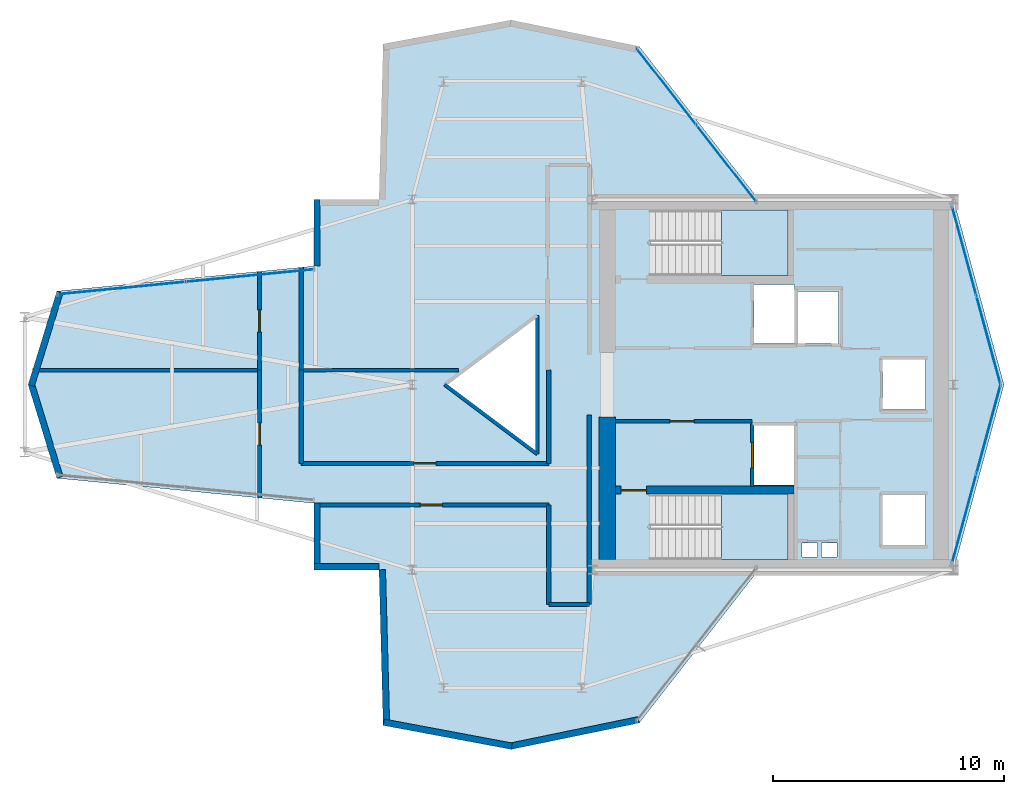
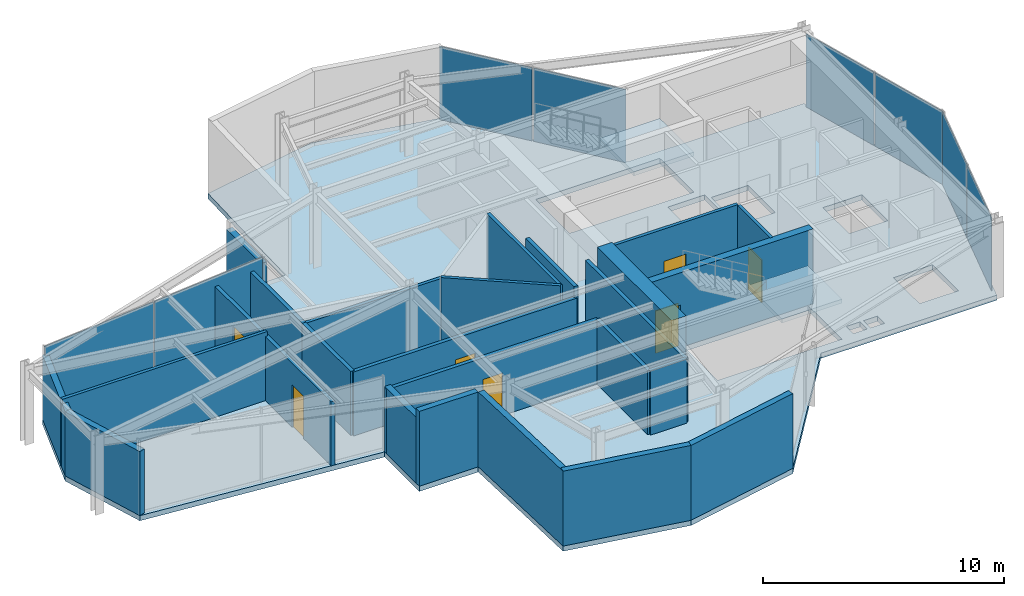
# One storey, part 18 of 21: 26 walls, 8 plates, 7 doors, 3 slabs, 7 openings, 6 elements without a shape of their own.
"""IFC4 building model written with IfcOpenShell, lengths in metres."""

from ifc_helpers import new_model, si_unit, direction, frame, frame_2d, origin, origin_2d, place, context, subcontext, project, spatial, polyline, rectangle, outline, extrude, material, layer, layer_set, type_object, element, fill, aggregate, save


model = new_model("IFC4")

# Units and contexts
model_context = context("Model", 3, precision=1e-05, world=origin(), true_north=direction((0.0, 1.0)))
body_context = subcontext(model_context, "Body", "Model", "MODEL_VIEW")
ifc_project = project(units=[si_unit("LENGTHUNIT", "METRE"), si_unit("AREAUNIT", "SQUARE_METRE"), si_unit("VOLUMEUNIT", "CUBIC_METRE"), si_unit("PLANEANGLEUNIT", "RADIAN"), si_unit("MASSUNIT", "GRAM", prefix="KILO")], contexts=[model_context])

# Site, building, storey
site_placement = place(None, origin())
site = spatial("IfcSite", under=ifc_project, at=site_placement, CompositionType="ELEMENT")
building_placement = place(site_placement, origin())
building = spatial("IfcBuilding", under=site, at=building_placement, Name="Veymaron Broadcast Tower", CompositionType="ELEMENT")
storey_placement = place(building_placement, frame((0.0, 0.0, 244.5)))
storey = spatial("IfcBuildingStorey", under=building, at=storey_placement, Name="L57", CompositionType="ELEMENT", Elevation=244.5)

# Curtain wall, plates
ifc_material_1 = material(Name="Anodised aluminium AA 6063-T6 and laminated low-E dark glass", Category="aluminium")
ifc_layer_1 = layer(ifc_material_1, 0.179931640625)
ifc_layer_set_1 = layer_set([ifc_layer_1], Name="Anodised aluminium AA 6063-T6 and laminated low-E dark glass")
curtain_wall_type = type_object("IfcCurtainWallType", Name="CW-SYS-05", PredefinedType="NOTDEFINED", material=ifc_layer_set_1)
curtain_wall_1_placement = place(storey_placement, origin())
curtain_wall_1 = element("IfcCurtainWall", 1, at=curtain_wall_1_placement, inside=storey, type_object=curtain_wall_type, Name="L57 dark-glass curtain wall CW-L57-E2-1", PredefinedType="NOTDEFINED")
ifc_material_2 = material(Name="Double-silver solar-control dark glass IGU 32 mm", Category="glass")
ifc_layer_2 = layer(ifc_material_2, 0.031982421875)
ifc_layer_set_2 = layer_set([ifc_layer_2], Name="Double-silver solar-control dark glass IGU 32 mm")
plate_type = type_object("IfcPlateType", Name="CW-PNL-02", PredefinedType="CURTAIN_PANEL", material=ifc_layer_set_2)
plate_1_placement = place(storey_placement, frame((55.05810546875, 18.218017578125, 0.0400390625), z_axis=(0.0, 0.0, 1.0), x_axis=(0.262424968824, 0.964952400763, 0.0)))
plate_1 = element("IfcPlate", 2, at=plate_1_placement, type_object=plate_type, Name="CW-L57-E2-1 unitised curtain panel 0", PredefinedType="CURTAIN_PANEL", context=body_context, shape_type="SweptSolid", body=[
    extrude(rectangle(XDim=3.9599609375, YDim=0.031982421875, at=origin_2d()), origin(), (0.0, 0.0, 1.0), 3.7099609375),
])
plate_2_placement = place(storey_placement, frame((56.113037109375, 22.09716796875, 0.0400390625), z_axis=(0.0, 0.0, 1.0), x_axis=(0.262424968824, 0.964952400763, 0.0)))
plate_2 = element("IfcPlate", 3, at=plate_2_placement, type_object=plate_type, Name="CW-L57-E2-1 unitised curtain panel 1", PredefinedType="CURTAIN_PANEL", context=body_context, shape_type="SweptSolid", body=[
    extrude(rectangle(XDim=3.9599609375, YDim=0.031982421875, at=origin_2d()), origin(), (0.0, 0.0, 1.0), 3.7099609375),
])
aggregate(curtain_wall_1, [plate_1, plate_2])

curtain_wall_2_placement = place(storey_placement, origin())
curtain_wall_2 = element("IfcCurtainWall", 4, at=curtain_wall_2_placement, inside=storey, type_object=curtain_wall_type, Name="L57 dark-glass curtain wall CW-L57-E3-1", PredefinedType="NOTDEFINED")
plate_3_placement = place(storey_placement, frame((56.113037109375, 25.90283203125, 0.0400390625), z_axis=(0.0, 0.0, 1.0), x_axis=(-0.262424968824, 0.964952400763, 0.0)))
plate_3 = element("IfcPlate", 5, at=plate_3_placement, type_object=plate_type, Name="CW-L57-E3-1 unitised curtain panel 0", PredefinedType="CURTAIN_PANEL", context=body_context, shape_type="SweptSolid", body=[
    extrude(rectangle(XDim=3.9599609375, YDim=0.031982421875, at=origin_2d()), origin(), (0.0, 0.0, 1.0), 3.7099609375),
])
plate_4_placement = place(storey_placement, frame((55.05810546875, 29.781982421875, 0.0400390625), z_axis=(0.0, 0.0, 1.0), x_axis=(-0.262424968824, 0.964952400763, 0.0)))
plate_4 = element("IfcPlate", 6, at=plate_4_placement, type_object=plate_type, Name="CW-L57-E3-1 unitised curtain panel 1", PredefinedType="CURTAIN_PANEL", context=body_context, shape_type="SweptSolid", body=[
    extrude(rectangle(XDim=3.9599609375, YDim=0.031982421875, at=origin_2d()), origin(), (0.0, 0.0, 1.0), 3.7099609375),
])
aggregate(curtain_wall_2, [plate_3, plate_4])

curtain_wall_3_placement = place(storey_placement, origin())
curtain_wall_3 = element("IfcCurtainWall", 7, at=curtain_wall_3_placement, inside=storey, type_object=curtain_wall_type, Name="L57 dark-glass curtain wall CW-L57-E5-1", PredefinedType="NOTDEFINED")
plate_5_placement = place(storey_placement, frame((44.772705078125, 33.569580078125, 0.0400390625), z_axis=(0.0, 0.0, 1.0), x_axis=(-0.615290065661, 0.788300789736, 0.0)))
plate_5 = element("IfcPlate", 8, at=plate_5_placement, type_object=plate_type, Name="CW-L57-E5-1 unitised curtain panel 0", PredefinedType="CURTAIN_PANEL", context=body_context, shape_type="SweptSolid", body=[
    extrude(rectangle(XDim=4.140869140625, YDim=0.031982421875, at=origin_2d()), origin(), (0.0, 0.0, 1.0), 3.7099609375),
])
plate_6_placement = place(storey_placement, frame((42.18798828125, 36.88134765625, 0.0400390625), z_axis=(0.0, 0.0, 1.0), x_axis=(-0.615290065661, 0.788300789736, 0.0)))
plate_6 = element("IfcPlate", 9, at=plate_6_placement, type_object=plate_type, Name="CW-L57-E5-1 unitised curtain panel 1", PredefinedType="CURTAIN_PANEL", context=body_context, shape_type="SweptSolid", body=[
    extrude(rectangle(XDim=4.140869140625, YDim=0.031982421875, at=origin_2d()), origin(), (0.0, 0.0, 1.0), 3.7099609375),
])
aggregate(curtain_wall_3, [plate_5, plate_6])

curtain_wall_4_placement = place(storey_placement, origin())
curtain_wall_4 = element("IfcCurtainWall", 10, at=curtain_wall_4_placement, inside=storey, type_object=curtain_wall_type, Name="L57 dark-glass curtain wall CW-L57-E11-1", PredefinedType="NOTDEFINED")
plate_7_placement = place(storey_placement, frame((24.180419921875, 28.7138671875, 0.0400390625), z_axis=(0.0, 0.0, 1.0), x_axis=(-0.995288516672, -0.096957560721, 0.0)))
plate_7 = element("IfcPlate", 11, at=plate_7_placement, type_object=plate_type, Name="CW-L57-E11-1 unitised curtain panel 0", PredefinedType="CURTAIN_PANEL", context=body_context, shape_type="SweptSolid", body=[
    extrude(rectangle(XDim=5.517578125, YDim=0.031982421875, at=origin_2d()), origin(), (0.0, 0.0, 1.0), 3.7099609375),
])
plate_8_placement = place(storey_placement, frame((18.629150390625, 28.173095703125, 0.0400390625), z_axis=(0.0, 0.0, 1.0), x_axis=(-0.995288516672, -0.096957560721, 0.0)))
plate_8 = element("IfcPlate", 12, at=plate_8_placement, type_object=plate_type, Name="CW-L57-E11-1 unitised curtain panel 1", PredefinedType="CURTAIN_PANEL", context=body_context, shape_type="SweptSolid", body=[
    extrude(rectangle(XDim=5.517578125, YDim=0.031982421875, at=origin_2d()), origin(), (0.0, 0.0, 1.0), 3.7099609375),
])
aggregate(curtain_wall_4, [plate_7, plate_8])

# Slab
ifc_material_3 = material(Name="Concrete C40/50", Category="concrete")
ifc_layer_3 = layer(ifc_material_3, 0.260009765625)
ifc_layer_set_3 = layer_set([ifc_layer_3], Name="Concrete C40/50")
slab_type_1 = type_object("IfcSlabType", Name="SLAB-FS5", PredefinedType="FLOOR", material=ifc_layer_set_3)
slab_1_placement = place(storey_placement, frame((0.0, 0.0, -0.260009765625)))
element("IfcSlab", 13, at=slab_1_placement, inside=storey, type_object=slab_type_1, Name="L57 structural floor slab", PredefinedType="FLOOR", context=body_context, shape_type="SweptSolid", body=[
    extrude(outline(polyline([(46.175537109375, 16.0), (54.60009765625, 16.0), (56.775634765625, 24.0), (54.60009765625, 32.0), (46.175537109375, 32.0), (41.006103515625, 38.623291015625), (35.474853515625, 39.7626953125), (29.943603515625, 38.726806640625), (29.763916015625, 32.0), (26.9423828125, 32.0), (26.9423828125, 29.12353515625), (15.840087890625, 28.0419921875), (14.5966796875, 24.0), (15.840087890625, 19.9580078125), (26.9423828125, 18.87646484375), (26.9423828125, 16.0), (29.763916015625, 16.0), (29.943603515625, 9.273193359375), (35.474853515625, 8.2373046875), (41.006103515625, 9.376708984375), (46.175537109375, 16.0)]), holes=[polyline([(45.969970703125, 28.330078125), (47.72998046875, 28.330078125), (47.72998046875, 25.77001953125), (45.969970703125, 25.77001953125), (45.969970703125, 28.330078125)]), polyline([(45.969970703125, 22.22998046875), (47.72998046875, 22.22998046875), (47.72998046875, 19.669921875), (45.969970703125, 19.669921875), (45.969970703125, 22.22998046875)]), polyline([(47.8701171875, 28.030029296875), (49.6298828125, 28.030029296875), (49.6298828125, 25.77001953125), (47.8701171875, 25.77001953125), (47.8701171875, 28.030029296875)]), polyline([(51.52001953125, 25.080078125), (53.3798828125, 25.080078125), (53.3798828125, 22.919921875), (51.52001953125, 22.919921875), (51.52001953125, 25.080078125)]), polyline([(51.52001953125, 19.22998046875), (53.3798828125, 19.22998046875), (53.3798828125, 17.070068359375), (51.52001953125, 17.070068359375), (51.52001953125, 19.22998046875)]), polyline([(48.050048828125, 17.159912109375), (48.719970703125, 17.159912109375), (48.719970703125, 16.56005859375), (48.050048828125, 16.56005859375), (48.050048828125, 17.159912109375)]), polyline([(48.8798828125, 17.159912109375), (49.550048828125, 17.159912109375), (49.550048828125, 16.56005859375), (48.8798828125, 16.56005859375), (48.8798828125, 17.159912109375)]), polyline([(36.60009765625, 27.0), (36.60009765625, 21.0), (32.60009765625, 24.0), (36.60009765625, 27.0)]), polyline([(41.489990234375, 31.550048828125), (47.43994140625, 31.550048828125), (47.43994140625, 28.72998046875), (41.489990234375, 28.72998046875), (41.489990234375, 31.550048828125)]), polyline([(41.489990234375, 19.27001953125), (47.43994140625, 19.27001953125), (47.43994140625, 16.449951171875), (41.489990234375, 16.449951171875), (41.489990234375, 19.27001953125)])]), origin(), (0.0, 0.0, 1.0), 0.260009765625),
])

# Stair, slab
ifc_material_4 = material(Name="Concrete C50/60", Category="concrete")
stair_type_1 = type_object("IfcStairType", Name="STAIR-CORE-1", PredefinedType="HALF_TURN_STAIR", material=ifc_material_4)
stair_1_placement = place(storey_placement, origin())
stair_1 = element("IfcStair", 14, at=stair_1_placement, inside=storey, type_object=stair_type_1, Name="L57 North protected dog-leg exit stair ST1", PredefinedType="HALF_TURN_STAIR")
ifc_layer_4 = layer(ifc_material_4, 0.199951171875)
ifc_layer_set_4 = layer_set([ifc_layer_4], Name="Concrete C50/60")
slab_type_2 = type_object("IfcSlabType", Name="SLAB-STAIR-LDG", PredefinedType="LANDING", material=ifc_layer_set_4)
slab_2_placement = place(storey_placement, frame((0.0, 0.0, 1.824951171875)))
slab_2 = element("IfcSlab", 15, at=slab_2_placement, type_object=slab_type_2, Name="ST1 landing 1", PredefinedType="LANDING", context=body_context, shape_type="SweptSolid", body=[
    extrude(outline(polyline([(44.56494140625, 28.72998046875), (47.43994140625, 28.72998046875), (47.43994140625, 31.550048828125), (44.56494140625, 31.550048828125), (44.56494140625, 28.72998046875)])), origin(), (0.0, 0.0, 1.0), 0.199951171875),
])
aggregate(stair_1, [slab_2])

stair_type_2 = type_object("IfcStairType", Name="STAIR-CORE-2", PredefinedType="HALF_TURN_STAIR", material=ifc_material_4)
stair_2_placement = place(storey_placement, origin())
stair_2 = element("IfcStair", 16, at=stair_2_placement, inside=storey, type_object=stair_type_2, Name="L57 South protected dog-leg exit stair ST2", PredefinedType="HALF_TURN_STAIR")
slab_3_placement = place(storey_placement, frame((0.0, 0.0, 1.824951171875)))
slab_3 = element("IfcSlab", 17, at=slab_3_placement, type_object=slab_type_2, Name="ST2 landing 1", PredefinedType="LANDING", context=body_context, shape_type="SweptSolid", body=[
    extrude(outline(polyline([(44.56494140625, 16.449951171875), (47.43994140625, 16.449951171875), (47.43994140625, 19.27001953125), (44.56494140625, 19.27001953125), (44.56494140625, 16.449951171875)])), origin(), (0.0, 0.0, 1.0), 0.199951171875),
])
aggregate(stair_2, [slab_3])

# Walls
ifc_material_5 = material(Name="Precast concrete C40/50", Category="concrete")
ifc_layer_5 = layer(ifc_material_5, 0.280029296875)
ifc_layer_set_5 = layer_set([ifc_layer_5], Name="Precast concrete C40/50")
wall_type_1 = type_object("IfcWallType", Name="WALL-EXT-280", PredefinedType="STANDARD", material=ifc_layer_set_5)
wall_1_placement = place(storey_placement, frame((27.08251953125, 32.0, 0.0), z_axis=(0.0, 0.0, 1.0), x_axis=(0.0, -1.0, 0.0)))
element("IfcWall", 18, at=wall_1_placement, inside=storey, type_object=wall_type_1, Name="L57 notched corner facade pier 10-1", PredefinedType="STANDARD", context=body_context, shape_type="SweptSolid", body=[
    extrude(rectangle(XDim=2.87646484375, YDim=0.280029296875, at=frame_2d((1.438232421875, 0.0))), origin(), (0.0, 0.0, 1.0), 3.319091796875),
])
for number, where, z_axis, x_axis, name in (
    (19, (15.973876953125, 28.000732421875, 0.0), (0.0, 0.0, 1.0), (-0.293972254798, -0.955813953345, 0.0), "L57 notched corner facade pier 12-1"),
    (20, (14.730712890625, 24.041259765625, 0.0), (0.0, 0.0, 1.0), (0.293972254798, -0.955813953345, 0.0), "L57 notched corner facade pier 13-1"),
):
    element("IfcWall", number, at=place(storey_placement, frame(where, z_axis=z_axis, x_axis=x_axis)), inside=storey, type_object=wall_type_1, Name=name, PredefinedType="STANDARD", context=body_context, shape_type="SweptSolid", body=[
        extrude(rectangle(XDim=4.228759765625, YDim=0.280029296875, at=frame_2d((2.1142578125, 0.0))), origin(), (0.0, 0.0, 1.0), 3.240966796875),
    ])
wall_2_placement = place(storey_placement, frame((27.08251953125, 18.87646484375, 0.0), z_axis=(0.0, 0.0, 1.0), x_axis=(0.0, -1.0, 0.0)))
element("IfcWall", 21, at=wall_2_placement, inside=storey, type_object=wall_type_1, Name="L57 notched corner facade pier 15-1", PredefinedType="STANDARD", context=body_context, shape_type="SweptSolid", body=[
    extrude(rectangle(XDim=2.87646484375, YDim=0.280029296875, at=frame_2d((1.438232421875, 0.0))), origin(), (0.0, 0.0, 1.0), 3.319091796875),
])
wall_3_placement = place(storey_placement, frame((26.9423828125, 16.139892578125, 0.0), z_axis=(0.0, 0.0, 1.0), x_axis=(1.0, 0.0, 0.0)))
element("IfcWall", 22, at=wall_3_placement, inside=storey, type_object=wall_type_1, Name="L57 notched corner facade pier 16-1", PredefinedType="STANDARD", context=body_context, shape_type="SweptSolid", body=[
    extrude(rectangle(XDim=2.821533203125, YDim=0.280029296875, at=frame_2d((1.41064453125, 0.0))), origin(), (0.0, 0.0, 1.0), 3.7900390625),
])
wall_4_placement = place(storey_placement, frame((29.90380859375, 16.003662109375, 0.0), z_axis=(0.0, 0.0, 1.0), x_axis=(0.026702629768, -0.999643421208, 0.0)))
element("IfcWall", 23, at=wall_4_placement, inside=storey, type_object=wall_type_1, Name="L57 notched corner facade pier 17-1", PredefinedType="STANDARD", context=body_context, shape_type="SweptSolid", body=[
    extrude(rectangle(XDim=6.729248046875, YDim=0.280029296875, at=frame_2d((3.36474609375, 0.0))), origin(), (0.0, 0.0, 1.0), 3.7900390625),
])
wall_5_placement = place(storey_placement, frame((29.969482421875, 9.410888671875, 0.0), z_axis=(0.0, 0.0, 1.0), x_axis=(0.982902134609, -0.184128742409, 0.0)))
element("IfcWall", 24, at=wall_5_placement, inside=storey, type_object=wall_type_1, Name="L57 notched corner facade pier 18-1", PredefinedType="STANDARD", context=body_context, shape_type="SweptSolid", body=[
    extrude(rectangle(XDim=5.627197265625, YDim=0.280029296875, at=frame_2d((2.8134765625, 0.0))), origin(), (0.0, 0.0, 1.0), 3.7900390625),
])
wall_6_placement = place(storey_placement, frame((35.446533203125, 8.374267578125, 0.0), z_axis=(0.0, 0.0, 1.0), x_axis=(0.979426896637, 0.201799291733, 0.0)))
element("IfcWall", 25, at=wall_6_placement, inside=storey, type_object=wall_type_1, Name="L57 notched corner facade pier 19-1", PredefinedType="STANDARD", context=body_context, shape_type="SweptSolid", body=[
    extrude(rectangle(XDim=5.6474609375, YDim=0.280029296875, at=frame_2d((2.82373046875, 0.0))), origin(), (0.0, 0.0, 1.0), 3.7900390625),
])

# Wall, opening, door
ifc_material_6 = material(Name="Gypsum fireboard and steel stud framing", Category="steel")
ifc_layer_6 = layer(ifc_material_6, 0.14990234375)
ifc_layer_set_6 = layer_set([ifc_layer_6], Name="Gypsum fireboard and steel stud framing")
wall_type_2 = type_object("IfcWallType", Name="WALL-FIRE-150", PredefinedType="PARTITIONING", material=ifc_layer_set_6)
wall_7_placement = place(storey_placement, frame((39.97998046875, 22.425048828125, 0.0), z_axis=(0.0, 0.0, 1.0), x_axis=(1.0, 0.0, 0.0)))
wall_7 = element("IfcWall", 26, at=wall_7_placement, inside=storey, type_object=wall_type_2, Name="L57 partition IW-L57-FFLS-N", PredefinedType="PARTITIONING", context=body_context, shape_type="SweptSolid", body=[
    extrude(rectangle(XDim=5.89990234375, YDim=0.14990234375, at=frame_2d((2.949951171875, 0.0))), origin(), (0.0, 0.0, 1.0), 3.7900390625),
])
opening_1_placement = place(wall_7_placement, frame((2.35009765625, 0.0, 0.0)))
opening_1 = element("IfcOpeningElement", 27, at=opening_1_placement, cuts=wall_7, Name="Opening ID-FL1", PredefinedType="OPENING", context=body_context, shape_type="SweptSolid", body=[
    extrude(rectangle(XDim=1.050048828125, YDim=2.14990234375, at=frame_2d((0.52490234375, 1.074951171875))), frame((0.0, 0.0849609375, 0.0), z_axis=(0.0, -1.0, 0.0), x_axis=(1.0, 0.0, 0.0)), (0.0, 0.0, 1.0), 0.169921875),
])
ifc_material_7 = material(Name="Fire-rated painted hollow steel ASTM A653", Category="steel")
door_type_1 = type_object("IfcDoorType", Name="DOOR-FIRE-1050", OperationType="NOTDEFINED", PredefinedType="DOOR", material=ifc_material_7)
door_1_placement = place(opening_1_placement, frame((1.050048828125, 0.0, 0.0), z_axis=(0.0, 0.0, 1.0), x_axis=(-1.0, 0.0, 0.0)))
door_1 = element("IfcDoor", 28, at=door_1_placement, inside=storey, type_object=door_type_1, Name="L57 door DR-L57-FFLS", OperationType="SINGLE_SWING_RIGHT", OverallHeight=2.14990234375, OverallWidth=1.050048828125, PredefinedType="DOOR", context=body_context, shape_type="SweptSolid", body=[
    extrude(rectangle(XDim=1.050048828125, YDim=2.14990234375, at=frame_2d((0.52490234375, 1.074951171875))), frame((0.0, 0.02490234375, 0.0), z_axis=(0.0, -1.0, 0.0), x_axis=(1.0, 0.0, 0.0)), (0.0, 0.0, 1.0), 0.050048828125),
])
fill(opening_1, door_1)

wall_8_placement = place(storey_placement, frame((45.89501953125, 19.590087890625, 0.0), z_axis=(0.0, 0.0, 1.0), x_axis=(0.0, 1.0, 0.0)))
wall_8 = element("IfcWall", 29, at=wall_8_placement, inside=storey, type_object=wall_type_2, Name="L57 partition IW-L57-SHW-FFL-2", PredefinedType="PARTITIONING", context=body_context, shape_type="SweptSolid", body=[
    extrude(rectangle(XDim=2.719970703125, YDim=0.14990234375, at=frame_2d((1.35986328125, 0.0))), origin(), (0.0, 0.0, 1.0), 3.7900390625),
])
opening_2_placement = place(wall_8_placement, frame((0.81005859375, 0.0, 0.0)))
opening_2 = element("IfcOpeningElement", 30, at=opening_2_placement, cuts=wall_8, Name="Opening LD", PredefinedType="OPENING", context=body_context, shape_type="SweptSolid", body=[
    extrude(rectangle(XDim=1.10009765625, YDim=2.14990234375, at=frame_2d((0.550048828125, 1.074951171875))), frame((0.0, 0.0849609375, 0.0), z_axis=(0.0, -1.0, 0.0), x_axis=(1.0, 0.0, 0.0)), (0.0, 0.0, 1.0), 0.169921875),
])
ifc_material_8 = material(Name="Brushed stainless steel AISI 304", Category="steel")
door_type_2 = type_object("IfcDoorType", Name="DOOR-LIFT-1100", OperationType="DOUBLE_DOOR_SLIDING", PredefinedType="DOOR", material=ifc_material_8)
door_2_placement = place(opening_2_placement, frame((1.10009765625, 0.0, 0.0), z_axis=(0.0, 0.0, 1.0), x_axis=(-1.0, 0.0, 0.0)))
door_2 = element("IfcDoor", 31, at=door_2_placement, inside=storey, type_object=door_type_2, Name="L57 door LD-L57-FFL-2", OperationType="DOUBLE_DOOR_SLIDING", OverallHeight=2.14990234375, OverallWidth=1.10009765625, PredefinedType="DOOR", context=body_context, shape_type="SweptSolid", body=[
    extrude(rectangle(XDim=1.10009765625, YDim=2.14990234375, at=frame_2d((0.550048828125, 1.074951171875))), frame((0.0, 0.02490234375, 0.0), z_axis=(0.0, -1.0, 0.0), x_axis=(1.0, 0.0, 0.0)), (0.0, 0.0, 1.0), 0.050048828125),
])
fill(opening_2, door_2)

ifc_layer_7 = layer(ifc_material_3, 0.179931640625)
ifc_layer_set_7 = layer_set([ifc_layer_7], Name="Concrete C40/50")
wall_type_3 = type_object("IfcWallType", Name="WALL-FIRE-180", PredefinedType="SOLIDWALL", material=ifc_layer_set_7)
wall_9_placement = place(storey_placement, frame((26.9423828125, 18.800048828125, 0.0), z_axis=(0.0, 0.0, 1.0), x_axis=(1.0, 0.0, 0.0)))
wall_9 = element("IfcWall", 32, at=wall_9_placement, inside=storey, type_object=wall_type_3, Name="L57 partition IW-L57-P01", PredefinedType="SOLIDWALL", context=body_context, shape_type="SweptSolid", body=[
    extrude(rectangle(XDim=10.15771484375, YDim=0.179931640625, at=frame_2d((5.078857421875, 0.0))), origin(), (0.0, 0.0, 1.0), 3.240966796875),
])
opening_3_placement = place(wall_9_placement, frame((4.603759765625, 0.0, 0.0)))
opening_3 = element("IfcOpeningElement", 33, at=opening_3_placement, cuts=wall_9, Name="Opening ID-RM1", PredefinedType="OPENING", context=body_context, shape_type="SweptSolid", body=[
    extrude(rectangle(XDim=0.949951171875, YDim=2.14990234375, at=frame_2d((0.47509765625, 1.074951171875))), frame((0.0, 0.10009765625, 0.0), z_axis=(0.0, -1.0, 0.0), x_axis=(1.0, 0.0, 0.0)), (0.0, 0.0, 1.0), 0.199951171875),
])
ifc_material_9 = material(Name="Acoustic solid-core European oak veneer timber", Category="wood")
door_type_3 = type_object("IfcDoorType", Name="DOOR-INT-950", OperationType="NOTDEFINED", PredefinedType="DOOR", material=ifc_material_9)
door_3_placement = place(opening_3_placement, frame((0.949951171875, 0.0, 0.0), z_axis=(0.0, 0.0, 1.0), x_axis=(-1.0, 0.0, 0.0)))
door_3 = element("IfcDoor", 34, at=door_3_placement, inside=storey, type_object=door_type_3, Name="L57 door DR-L57-P01", OperationType="SINGLE_SWING_RIGHT", OverallHeight=2.14990234375, OverallWidth=0.949951171875, PredefinedType="DOOR", context=body_context, shape_type="SweptSolid", body=[
    extrude(rectangle(XDim=0.949951171875, YDim=2.14990234375, at=frame_2d((0.47509765625, 1.074951171875))), frame((0.0, 0.02490234375, 0.0), z_axis=(0.0, -1.0, 0.0), x_axis=(1.0, 0.0, 0.0)), (0.0, 0.0, 1.0), 0.050048828125),
])
fill(opening_3, door_3)

wall_10_placement = place(storey_placement, frame((24.60009765625, 19.1044921875, 0.0), z_axis=(0.0, 0.0, 1.0), x_axis=(0.0, 1.0, 0.0)))
wall_10 = element("IfcWall", 35, at=wall_10_placement, inside=storey, type_object=wall_type_3, Name="L57 partition IW-L57-P05", PredefinedType="SOLIDWALL", context=body_context, shape_type="SweptSolid", body=[
    extrude(rectangle(XDim=5.526611328125, YDim=0.179931640625, at=frame_2d((2.76318359375, 0.0))), origin(), (0.0, 0.0, 1.0), 3.240966796875),
])
opening_4_placement = place(wall_10_placement, frame((2.2880859375, 0.0, 0.0)))
opening_4 = element("IfcOpeningElement", 36, at=opening_4_placement, cuts=wall_10, Name="Opening ID-RM1", PredefinedType="OPENING", context=body_context, shape_type="SweptSolid", body=[
    extrude(rectangle(XDim=0.949951171875, YDim=2.14990234375, at=frame_2d((0.47509765625, 1.074951171875))), frame((0.0, 0.10009765625, 0.0), z_axis=(0.0, -1.0, 0.0), x_axis=(1.0, 0.0, 0.0)), (0.0, 0.0, 1.0), 0.199951171875),
])
door_4_placement = place(opening_4_placement, origin())
door_4 = element("IfcDoor", 37, at=door_4_placement, inside=storey, type_object=door_type_3, Name="L57 door DR-L57-P05", OperationType="SINGLE_SWING_RIGHT", OverallHeight=2.14990234375, OverallWidth=0.949951171875, PredefinedType="DOOR", context=body_context, shape_type="SweptSolid", body=[
    extrude(rectangle(XDim=0.949951171875, YDim=2.14990234375, at=frame_2d((0.47509765625, 1.074951171875))), frame((0.0, 0.02490234375, 0.0), z_axis=(0.0, -1.0, 0.0), x_axis=(1.0, 0.0, 0.0)), (0.0, 0.0, 1.0), 0.050048828125),
])
fill(opening_4, door_4)

wall_11_placement = place(storey_placement, frame((26.39990234375, 20.60009765625, 0.0), z_axis=(0.0, 0.0, 1.0), x_axis=(1.0, 0.0, 0.0)))
wall_11 = element("IfcWall", 38, at=wall_11_placement, inside=storey, type_object=wall_type_3, Name="L57 partition IW-L57-P06", PredefinedType="SOLIDWALL", context=body_context, shape_type="SweptSolid", body=[
    extrude(rectangle(XDim=10.7001953125, YDim=0.179931640625, at=frame_2d((5.35009765625, 0.0))), origin(), (0.0, 0.0, 1.0), 3.240966796875),
])
opening_5_placement = place(wall_11_placement, frame((4.875, 0.0, 0.0)))
opening_5 = element("IfcOpeningElement", 39, at=opening_5_placement, cuts=wall_11, Name="Opening ID-RM1", PredefinedType="OPENING", context=body_context, shape_type="SweptSolid", body=[
    extrude(rectangle(XDim=0.949951171875, YDim=2.14990234375, at=frame_2d((0.47509765625, 1.074951171875))), frame((0.0, 0.10009765625, 0.0), z_axis=(0.0, -1.0, 0.0), x_axis=(1.0, 0.0, 0.0)), (0.0, 0.0, 1.0), 0.199951171875),
])
door_5_placement = place(opening_5_placement, origin())
door_5 = element("IfcDoor", 40, at=door_5_placement, inside=storey, type_object=door_type_3, Name="L57 door DR-L57-P06", OperationType="SINGLE_SWING_LEFT", OverallHeight=2.14990234375, OverallWidth=0.949951171875, PredefinedType="DOOR", context=body_context, shape_type="SweptSolid", body=[
    extrude(rectangle(XDim=0.949951171875, YDim=2.14990234375, at=frame_2d((0.47509765625, 1.074951171875))), frame((0.0, 0.02490234375, 0.0), z_axis=(0.0, -1.0, 0.0), x_axis=(1.0, 0.0, 0.0)), (0.0, 0.0, 1.0), 0.050048828125),
])
fill(opening_5, door_5)

wall_12_placement = place(storey_placement, frame((24.60009765625, 24.631103515625, 0.0), z_axis=(0.0, 0.0, 1.0), x_axis=(0.0, 1.0, 0.0)))
wall_12 = element("IfcWall", 41, at=wall_12_placement, inside=storey, type_object=wall_type_3, Name="L57 partition IW-L57-P09", PredefinedType="SOLIDWALL", context=body_context, shape_type="SweptSolid", body=[
    extrude(rectangle(XDim=4.264404296875, YDim=0.179931640625, at=frame_2d((2.13232421875, 0.0))), origin(), (0.0, 0.0, 1.0), 3.240966796875),
])
opening_6_placement = place(wall_12_placement, frame((1.6572265625, 0.0, 0.0)))
opening_6 = element("IfcOpeningElement", 42, at=opening_6_placement, cuts=wall_12, Name="Opening ID-RM1", PredefinedType="OPENING", context=body_context, shape_type="SweptSolid", body=[
    extrude(rectangle(XDim=0.949951171875, YDim=2.14990234375, at=frame_2d((0.47509765625, 1.074951171875))), frame((0.0, 0.10009765625, 0.0), z_axis=(0.0, -1.0, 0.0), x_axis=(1.0, 0.0, 0.0)), (0.0, 0.0, 1.0), 0.199951171875),
])
door_6_placement = place(opening_6_placement, origin())
door_6 = element("IfcDoor", 43, at=door_6_placement, inside=storey, type_object=door_type_3, Name="L57 door DR-L57-P09", OperationType="SINGLE_SWING_RIGHT", OverallHeight=2.14990234375, OverallWidth=0.949951171875, PredefinedType="DOOR", context=body_context, shape_type="SweptSolid", body=[
    extrude(rectangle(XDim=0.949951171875, YDim=2.14990234375, at=frame_2d((0.47509765625, 1.074951171875))), frame((0.0, 0.02490234375, 0.0), z_axis=(0.0, -1.0, 0.0), x_axis=(1.0, 0.0, 0.0)), (0.0, 0.0, 1.0), 0.050048828125),
])
fill(opening_6, door_6)

# Walls
wall_13_placement = place(storey_placement, frame((38.85009765625, 14.5, 0.0), z_axis=(0.0, 0.0, 1.0), x_axis=(0.0, 1.0, 0.0)))
element("IfcWall", 44, at=wall_13_placement, inside=storey, type_object=wall_type_3, Name="L57 partition IW-L57-P02", PredefinedType="SOLIDWALL", context=body_context, shape_type="SweptSolid", body=[
    extrude(rectangle(XDim=8.199951171875, YDim=0.179931640625, at=frame_2d((4.10009765625, 0.0))), origin(), (0.0, 0.0, 1.0), 3.240966796875),
])
wall_14_placement = place(storey_placement, frame((37.10009765625, 14.5, 0.0), z_axis=(0.0, 0.0, 1.0), x_axis=(0.0, 1.0, 0.0)))
element("IfcWall", 45, at=wall_14_placement, inside=storey, type_object=wall_type_3, Name="L57 partition IW-L57-P03", PredefinedType="SOLIDWALL", context=body_context, shape_type="SweptSolid", body=[
    extrude(rectangle(XDim=4.300048828125, YDim=0.179931640625, at=frame_2d((2.14990234375, 0.0))), origin(), (0.0, 0.0, 1.0), 3.240966796875),
])
wall_15_placement = place(storey_placement, frame((37.10009765625, 14.5, 0.0), z_axis=(0.0, 0.0, 1.0), x_axis=(1.0, 0.0, 0.0)))
element("IfcWall", 46, at=wall_15_placement, inside=storey, type_object=wall_type_3, Name="L57 partition IW-L57-P04", PredefinedType="SOLIDWALL", context=body_context, shape_type="SweptSolid", body=[
    extrude(rectangle(XDim=1.75, YDim=0.179931640625, at=frame_2d((0.875, 0.0))), origin(), (0.0, 0.0, 1.0), 3.240966796875),
])
wall_16_placement = place(storey_placement, frame((26.39990234375, 20.60009765625, 0.0), z_axis=(0.0, 0.0, 1.0), x_axis=(0.0, 1.0, 0.0)))
element("IfcWall", 47, at=wall_16_placement, inside=storey, type_object=wall_type_3, Name="L57 partition IW-L57-P07", PredefinedType="SOLIDWALL", context=body_context, shape_type="SweptSolid", body=[
    extrude(rectangle(XDim=4.031005859375, YDim=0.179931640625, at=frame_2d((2.015625, 0.0))), origin(), (0.0, 0.0, 1.0), 3.240966796875),
])
wall_17_placement = place(storey_placement, frame((37.10009765625, 20.60009765625, 0.0), z_axis=(0.0, 0.0, 1.0), x_axis=(0.0, 1.0, 0.0)))
element("IfcWall", 48, at=wall_17_placement, inside=storey, type_object=wall_type_3, Name="L57 partition IW-L57-P08", PredefinedType="SOLIDWALL", context=body_context, shape_type="SweptSolid", body=[
    extrude(rectangle(XDim=4.031005859375, YDim=0.179931640625, at=frame_2d((2.015625, 0.0))), origin(), (0.0, 0.0, 1.0), 3.7900390625),
])
wall_18_placement = place(storey_placement, frame((26.39990234375, 24.631103515625, 0.0), z_axis=(0.0, 0.0, 1.0), x_axis=(0.0, 1.0, 0.0)))
element("IfcWall", 49, at=wall_18_placement, inside=storey, type_object=wall_type_3, Name="L57 partition IW-L57-P12", PredefinedType="SOLIDWALL", context=body_context, shape_type="SweptSolid", body=[
    extrude(rectangle(XDim=4.439697265625, YDim=0.179931640625, at=frame_2d((2.2197265625, 0.0))), origin(), (0.0, 0.0, 1.0), 3.240966796875),
])
ifc_material_10 = material(Name="Fire-rated laminated glass in aluminium frame", Category="aluminium")
ifc_layer_8 = layer(ifc_material_10, 0.14990234375)
ifc_layer_set_8 = layer_set([ifc_layer_8], Name="Fire-rated laminated glass in aluminium frame")
wall_type_4 = type_object("IfcWallType", Name="WALL-GLZ-150", PredefinedType="MOVABLE", material=ifc_layer_set_8)
wall_19_placement = place(storey_placement, frame((14.791015625, 24.631103515625, 0.0), z_axis=(0.0, 0.0, 1.0), x_axis=(1.0, 0.0, 0.0)))
element("IfcWall", 50, at=wall_19_placement, inside=storey, type_object=wall_type_4, Name="L57 partition IW-L57-P14", PredefinedType="MOVABLE", context=body_context, shape_type="SweptSolid", body=[
    extrude(rectangle(XDim=9.80908203125, YDim=0.14990234375, at=frame_2d((4.904541015625, 0.0))), origin(), (0.0, 0.0, 1.0), 3.468017578125),
])
wall_20_placement = place(storey_placement, frame((26.39990234375, 24.631103515625, 0.0), z_axis=(0.0, 0.0, 1.0), x_axis=(1.0, 0.0, 0.0)))
element("IfcWall", 51, at=wall_20_placement, inside=storey, type_object=wall_type_4, Name="L57 partition IW-L57-P15", PredefinedType="MOVABLE", context=body_context, shape_type="SweptSolid", body=[
    extrude(rectangle(XDim=6.79150390625, YDim=0.14990234375, at=frame_2d((3.395751953125, 0.0))), origin(), (0.0, 0.0, 1.0), 3.240966796875),
])
wall_21_placement = place(storey_placement, frame((32.60009765625, 24.0, 0.0), z_axis=(0.0, 0.0, 1.0), x_axis=(0.8, -0.6, 0.0)))
element("IfcWall", 52, at=wall_21_placement, inside=storey, type_object=wall_type_4, Name="L57 partition IW-L57-ATR1", PredefinedType="MOVABLE", context=body_context, shape_type="SweptSolid", body=[
    extrude(rectangle(XDim=5.0, YDim=0.14990234375, at=frame_2d((2.5, 0.0))), origin(), (0.0, 0.0, 1.0), 3.7900390625),
])
wall_22_placement = place(storey_placement, frame((36.60009765625, 21.0, 0.0), z_axis=(0.0, 0.0, 1.0), x_axis=(0.0, 1.0, 0.0)))
element("IfcWall", 53, at=wall_22_placement, inside=storey, type_object=wall_type_4, Name="L57 partition IW-L57-ATR2", PredefinedType="MOVABLE", context=body_context, shape_type="SweptSolid", body=[
    extrude(rectangle(XDim=6.0, YDim=0.14990234375, at=frame_2d((3.0, 0.0))), origin(), (0.0, 0.0, 1.0), 3.7900390625),
])

# Wall, opening, door
ifc_layer_9 = layer(ifc_material_4, 0.35009765625)
ifc_layer_set_9 = layer_set([ifc_layer_9], Name="Concrete C50/60")
wall_type_5 = type_object("IfcWallType", Name="WALL-SHEAR-350", PredefinedType="SHEAR", material=ifc_layer_set_9)
wall_23_placement = place(storey_placement, frame((39.97998046875, 19.445068359375, 0.0), z_axis=(0.0, 0.0, 1.0), x_axis=(1.0, 0.0, 0.0)))
wall_23 = element("IfcWall", 54, at=wall_23_placement, inside=storey, type_object=wall_type_5, Name="L57 Core Wall south stair spine", PredefinedType="SHEAR", context=body_context, shape_type="SweptSolid", body=[
    extrude(rectangle(XDim=7.7099609375, YDim=0.35009765625, at=frame_2d((3.85498046875, 0.0))), origin(), (0.0, 0.0, 1.0), 3.7900390625),
])
opening_7_placement = place(wall_23_placement, frame((0.25, 0.0, 0.0)))
opening_7 = element("IfcOpeningElement", 55, at=opening_7_placement, cuts=wall_23, Name="Opening ID-ST1", PredefinedType="OPENING", context=body_context, shape_type="SweptSolid", body=[
    extrude(rectangle(XDim=1.10009765625, YDim=2.14990234375, at=frame_2d((0.550048828125, 1.074951171875))), frame((0.0, 0.18505859375, 0.0), z_axis=(0.0, -1.0, 0.0), x_axis=(1.0, 0.0, 0.0)), (0.0, 0.0, 1.0), 0.3701171875),
])
door_type_4 = type_object("IfcDoorType", Name="DOOR-STAIR-1100", OperationType="NOTDEFINED", PredefinedType="DOOR", material=ifc_material_7)
door_7_placement = place(opening_7_placement, frame((1.10009765625, 0.0, 0.0), z_axis=(0.0, 0.0, 1.0), x_axis=(-1.0, 0.0, 0.0)))
door_7 = element("IfcDoor", 56, at=door_7_placement, inside=storey, type_object=door_type_4, Name="L57 exit stair ST2 fire door", OperationType="SINGLE_SWING_LEFT", OverallHeight=2.14990234375, OverallWidth=1.10009765625, PredefinedType="DOOR", context=body_context, shape_type="SweptSolid", body=[
    extrude(rectangle(XDim=1.10009765625, YDim=2.14990234375, at=frame_2d((0.550048828125, 1.074951171875))), frame((0.0, 0.02490234375, 0.0), z_axis=(0.0, -1.0, 0.0), x_axis=(1.0, 0.0, 0.0)), (0.0, 0.0, 1.0), 0.050048828125),
])
fill(opening_7, door_7)

# Wall
ifc_material_11 = material(Name="Concrete C60/75", Category="concrete")
ifc_layer_10 = layer(ifc_material_11, 0.699951171875)
ifc_layer_set_10 = layer_set([ifc_layer_10], Name="Concrete C60/75")
wall_type_6 = type_object("IfcWallType", Name="WALL-SHEAR-700", PredefinedType="SHEAR", material=ifc_layer_set_10)
wall_24_placement = place(storey_placement, frame((39.6298828125, 16.449951171875, 0.0), z_axis=(0.0, 0.0, 1.0), x_axis=(0.0, 1.0, 0.0)))
element("IfcWall", 57, at=wall_24_placement, inside=storey, type_object=wall_type_6, Name="L57 Core Wall west-south shear", PredefinedType="SHEAR", context=body_context, shape_type="SweptSolid", body=[
    extrude(rectangle(XDim=6.150146484375, YDim=0.699951171875, at=frame_2d((3.0751953125, 0.0))), origin(), (0.0, 0.0, 1.0), 3.7900390625),
])

save(model, "model.ifc")
